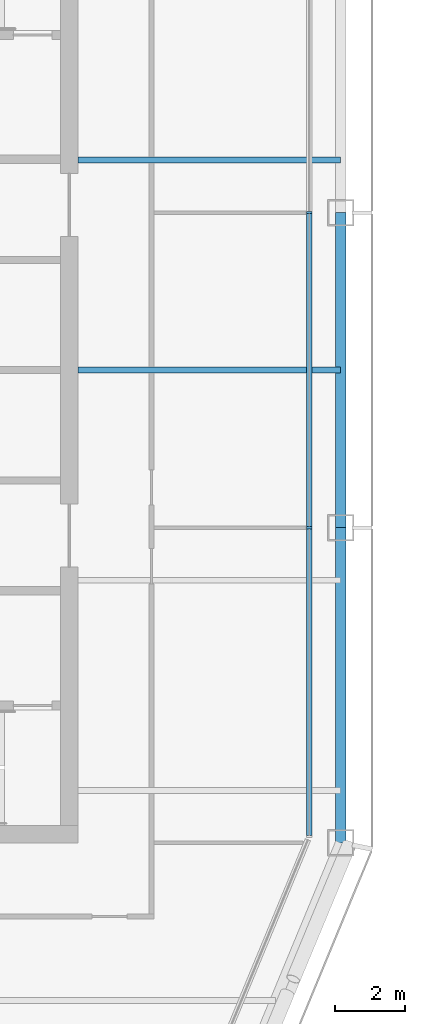
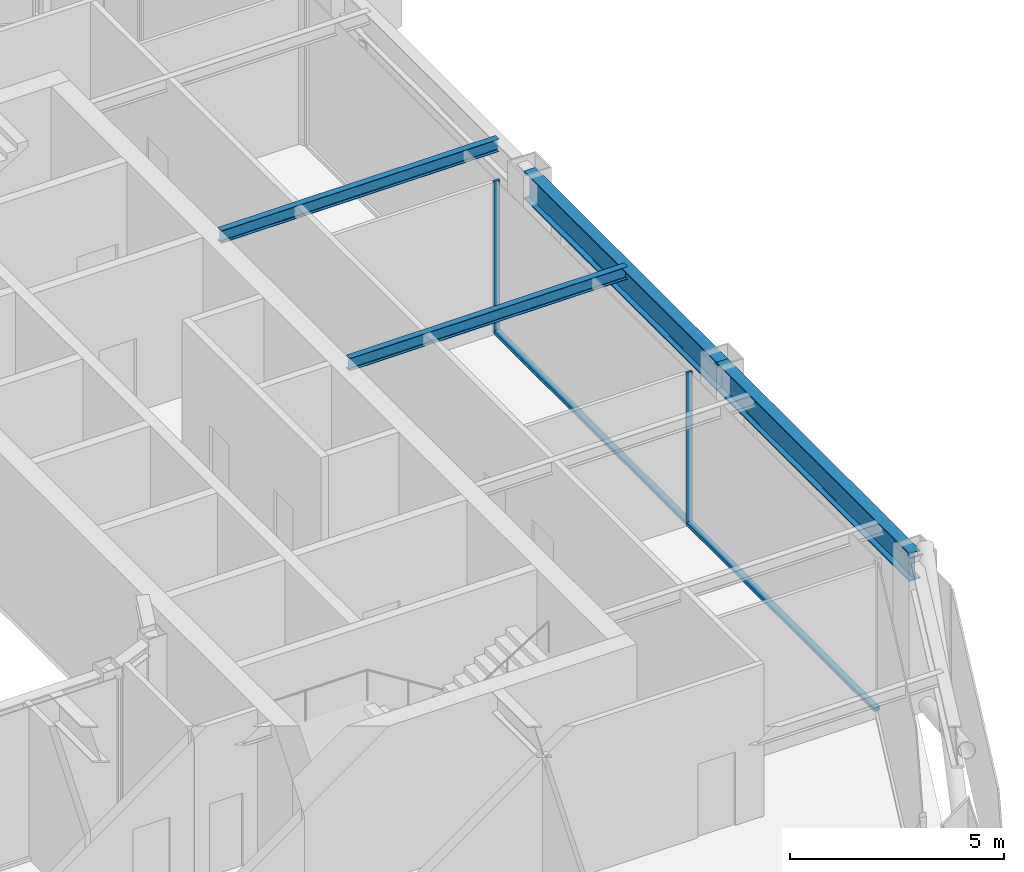
# One storey, part 5 of 20: 4 beams, 4 members, 1 element without a shape of its own.
"""IFC4 building model written with IfcOpenShell, lengths in metres."""

from ifc_helpers import new_model, si_unit, direction, frame, origin, origin_2d, place, context, subcontext, project, spatial, rectangle, i_section, extrude, material, layer, layer_set, material_profile, profile_set, type_object, element, aggregate, save


model = new_model("IFC4")

# Units and contexts
model_context = context("Model", 3, precision=1e-05, world=origin(), true_north=direction((0.0, 1.0)))
body_context = subcontext(model_context, "Body", "Model", "MODEL_VIEW")
ifc_project = project(units=[si_unit("LENGTHUNIT", "METRE"), si_unit("AREAUNIT", "SQUARE_METRE"), si_unit("VOLUMEUNIT", "CUBIC_METRE"), si_unit("PLANEANGLEUNIT", "RADIAN"), si_unit("MASSUNIT", "GRAM", prefix="KILO")], contexts=[model_context])

# Site, building, storey
site_placement = place(None, origin())
site = spatial("IfcSite", under=ifc_project, at=site_placement, CompositionType="ELEMENT")
building_placement = place(site_placement, origin())
building = spatial("IfcBuilding", under=site, at=building_placement, Name="Siwar Civic Tower", CompositionType="ELEMENT")
storey_placement = place(building_placement, frame((0.0, 0.0, 307.699951171875)))
storey = spatial("IfcBuildingStorey", under=building, at=storey_placement, Name="L66", CompositionType="ELEMENT", Elevation=307.699951171875)

# Curtain wall, members
ifc_material_1 = material(Name="Aluminium and glass", Category="aluminium")
ifc_layer = layer(ifc_material_1, 0.159912109375)
ifc_layer_set = layer_set([ifc_layer], Name="Aluminium and glass")
curtain_wall_type = type_object("IfcCurtainWallType", Name="ENV-CW-D", PredefinedType="NOTDEFINED", material=ifc_layer_set)
curtain_wall_placement = place(storey_placement, origin())
curtain_wall = element("IfcCurtainWall", 1, at=curtain_wall_placement, inside=storey, type_object=curtain_wall_type, Name="Curtain wall D E", PredefinedType="NOTDEFINED")
ifc_material_2 = material(Name="Aluminium 6063-T6", Category="aluminium")
ifc_material_profile_1 = material_profile(ifc_material_2, rectangle(XDim=0.159912109375, YDim=0.06005859375, at=origin_2d()), Name="AL 160x60")
ifc_profile_set_1 = profile_set([ifc_material_profile_1], Name="Aluminium 6063-T6")
member_type_1 = type_object("IfcMemberType", Name="ENV-MULLION-D", PredefinedType="MULLION", material=ifc_profile_set_1)
member_1_placement = place(storey_placement, frame((23.85009765625, -4.5, 0.0), z_axis=(0.0, 0.0, 1.0), x_axis=(-1.0, 0.0, 0.0)))
member_1 = element("IfcMember", 2, at=member_1_placement, type_object=member_type_1, Name="Mullion D E 2", PredefinedType="MULLION", context=body_context, shape_type="SweptSolid", body=[
    extrude(rectangle(XDim=0.159912109375, YDim=0.06005859375, at=origin_2d()), origin(), (0.0, 0.0, 1.0), 4.35009765625),
])
member_2_placement = place(storey_placement, frame((23.85009765625, 4.5, 0.0), z_axis=(0.0, 0.0, 1.0), x_axis=(-1.0, 0.0, 0.0)))
member_2 = element("IfcMember", 3, at=member_2_placement, type_object=member_type_1, Name="Mullion D E 3", PredefinedType="MULLION", context=body_context, shape_type="SweptSolid", body=[
    extrude(rectangle(XDim=0.159912109375, YDim=0.06005859375, at=origin_2d()), origin(), (0.0, 0.0, 1.0), 4.35009765625),
])
ifc_material_3 = material(Name="Aluminium 6063-T6", Category="aluminium")
ifc_material_profile_2 = material_profile(ifc_material_3, rectangle(XDim=0.159912109375, YDim=0.10009765625, at=origin_2d()), Name="AL 160x100")
ifc_profile_set_2 = profile_set([ifc_material_profile_2], Name="Aluminium 6063-T6")
member_type_2 = type_object("IfcMemberType", Name="ENV-TRANSOM-D", PredefinedType="USERDEFINED", material=ifc_profile_set_2)
member_3_placement = place(storey_placement, frame((23.85009765625, -13.291015625, 0.050048828125), z_axis=(0.0, 1.0, 0.0), x_axis=(-1.0, 0.0, 0.0)))
member_3 = element("IfcMember", 4, at=member_3_placement, type_object=member_type_2, Name="Transom D E 1", ObjectType="TRANSOM", PredefinedType="USERDEFINED", context=body_context, shape_type="SweptSolid", body=[
    extrude(rectangle(XDim=0.159912109375, YDim=0.10009765625, at=origin_2d()), origin(), (0.0, 0.0, 1.0), 8.760986328125),
])
member_4_placement = place(storey_placement, frame((23.85009765625, -4.469970703125, 0.050048828125), z_axis=(0.0, 1.0, 0.0), x_axis=(-1.0, 0.0, 0.0)))
member_4 = element("IfcMember", 5, at=member_4_placement, type_object=member_type_2, Name="Transom D E 2", ObjectType="TRANSOM", PredefinedType="USERDEFINED", context=body_context, shape_type="SweptSolid", body=[
    extrude(rectangle(XDim=0.159912109375, YDim=0.10009765625, at=origin_2d()), origin(), (0.0, 0.0, 1.0), 8.93994140625),
])
aggregate(curtain_wall, [member_1, member_2, member_3, member_4])

# Beams
ifc_material_4 = material(Name="Steel S355", Category="steel")
ifc_material_profile_3 = material_profile(ifc_material_4, i_section(OverallWidth=0.169921875, OverallDepth=0.360107421875, WebThickness=0.008056640625, FlangeThickness=0.0126953125, FilletRadius=0.01806640625, at=origin_2d()), Name="IPE360")
ifc_profile_set_3 = profile_set([ifc_material_profile_3], Name="Steel S355")
beam_type_1 = type_object("IfcBeamType", Name="STR-FB-IPE360", PredefinedType="JOIST", material=ifc_profile_set_3)
for number, where, z_axis, x_axis, name in (
    (6, (17.25, 0.0, 4.170166015625), (1.0, 0.0, 0.0), (0.0, 1.0, 0.0), "L66/bm/F019"),
    (7, (17.25, 6.0, 4.170166015625), (1.0, 0.0, 0.0), (0.0, 1.0, 0.0), "L66/bm/F021"),
):
    element("IfcBeam", number, at=place(storey_placement, frame(where, z_axis=z_axis, x_axis=x_axis)), inside=storey, type_object=beam_type_1, Name=name, PredefinedType="JOIST", context=body_context, shape_type="SweptSolid", body=[
        extrude(i_section(OverallWidth=0.169921875, OverallDepth=0.360107421875, WebThickness=0.008056640625, FlangeThickness=0.0126953125, FilletRadius=0.01806640625, at=origin_2d()), origin(), (0.0, 0.0, 1.0), 7.5),
    ])
ifc_material_5 = material(Name="Steel S355", Category="steel")
ifc_material_profile_4 = material_profile(ifc_material_5, i_section(OverallWidth=0.300048828125, OverallDepth=0.800048828125, WebThickness=0.017578125, FlangeThickness=0.032958984375, FilletRadius=0.030029296875, at=origin_2d()), Name="HEB800")
ifc_profile_set_4 = profile_set([ifc_material_profile_4], Name="Steel S355")
beam_type_2 = type_object("IfcBeamType", Name="STR-SB-HEB800", PredefinedType="BEAM", material=ifc_profile_set_4)
for number, where, z_axis, x_axis, name in (
    (8, (24.75, -13.5, 3.949951171875), (0.0, 1.0, 0.0), (-1.0, 0.0, 0.0), "L66/bm/SE-0"),
    (9, (24.75, -4.5, 3.949951171875), (0.0, 1.0, 0.0), (-1.0, 0.0, 0.0), "L66/bm/SE-1"),
):
    element("IfcBeam", number, at=place(storey_placement, frame(where, z_axis=z_axis, x_axis=x_axis)), inside=storey, type_object=beam_type_2, Name=name, PredefinedType="BEAM", context=body_context, shape_type="SweptSolid", body=[
        extrude(i_section(OverallWidth=0.300048828125, OverallDepth=0.800048828125, WebThickness=0.017578125, FlangeThickness=0.032958984375, FilletRadius=0.030029296875, at=origin_2d()), origin(), (0.0, 0.0, 1.0), 9.0),
    ])

save(model, "model.ifc")
